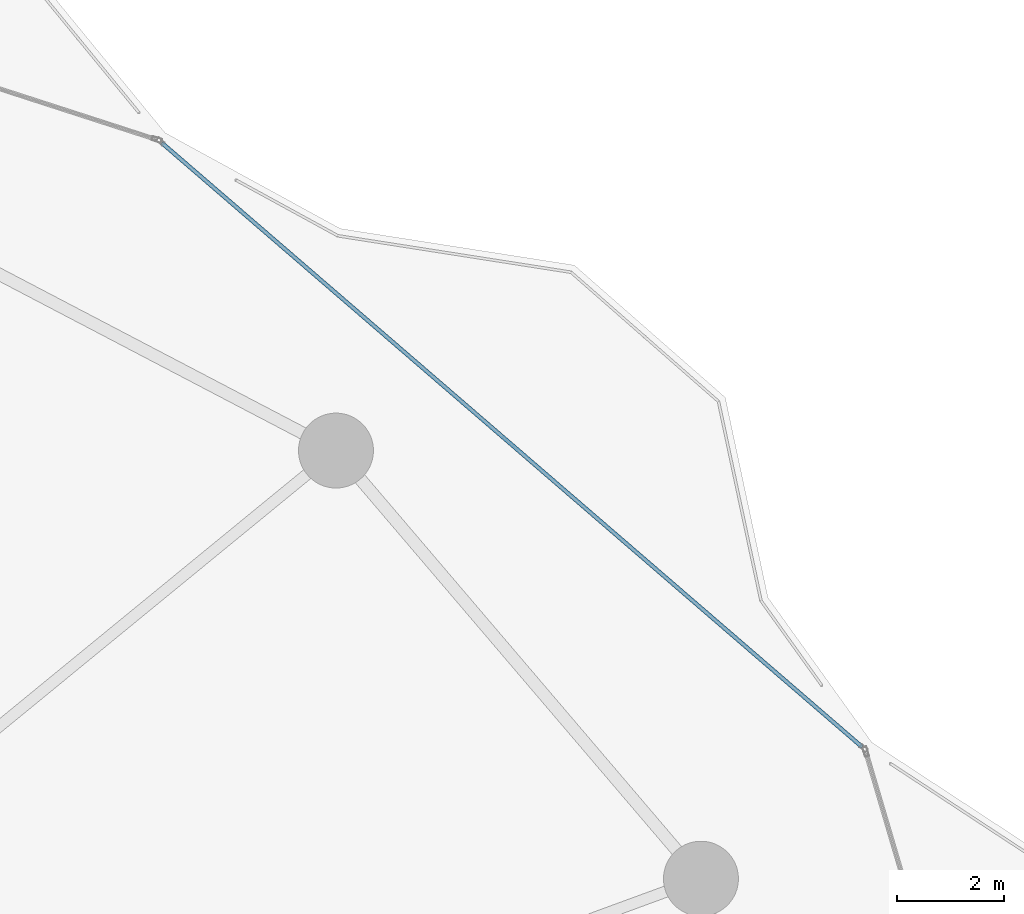
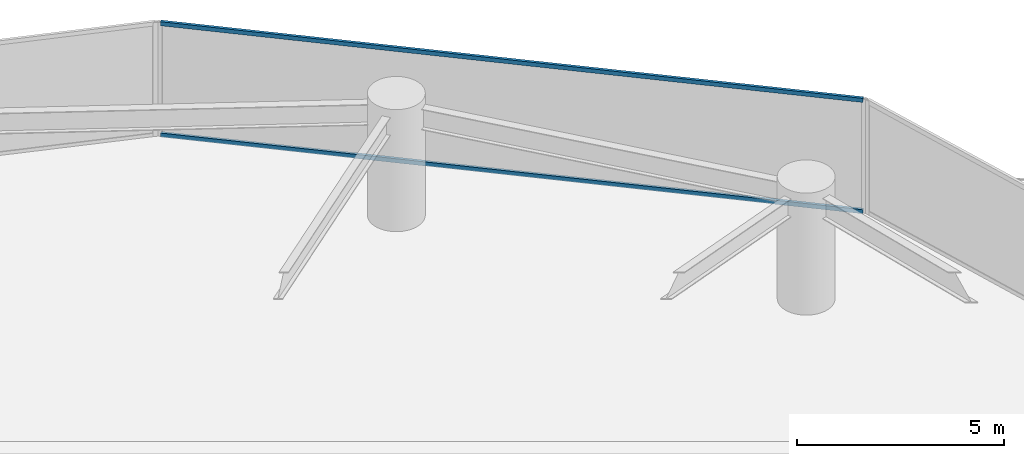
# One storey, part 20 of 33: 2 members, 1 element without a shape of its own.
"""IFC4 building model written with IfcOpenShell, lengths in metres."""

from ifc_helpers import new_model, si_unit, direction, frame, origin, origin_2d, place, context, subcontext, project, spatial, hollow_rectangle, extrude, material, layer, layer_set, material_profile, profile_set, type_object, element, aggregate, save


model = new_model("IFC4")

# Units and contexts
model_context = context("Model", 3, precision=1e-05, world=origin(), true_north=direction((0.0, 1.0)))
body_context = subcontext(model_context, "Body", "Model", "MODEL_VIEW")
ifc_project = project(units=[si_unit("LENGTHUNIT", "METRE"), si_unit("AREAUNIT", "SQUARE_METRE"), si_unit("VOLUMEUNIT", "CUBIC_METRE"), si_unit("PLANEANGLEUNIT", "RADIAN"), si_unit("MASSUNIT", "GRAM", prefix="KILO")], contexts=[model_context])

# Site, building, storey
site_placement = place(None, origin())
site = spatial("IfcSite", under=ifc_project, at=site_placement, CompositionType="ELEMENT")
building_placement = place(site_placement, origin())
building = spatial("IfcBuilding", under=site, at=building_placement, Name="Kazevale Care Tower and Concert Hall", CompositionType="ELEMENT")
storey_placement = place(building_placement, frame((0.0, 0.0, 49.199951171875)))
storey = spatial("IfcBuildingStorey", under=building, at=storey_placement, Name="L12", CompositionType="ELEMENT", Elevation=49.199951171875)

# Curtain wall, members
ifc_material_1 = material(Name="Aluminium 6063-T6 and Low-E Glass", Category="aluminium")
ifc_layer = layer(ifc_material_1, 0.179931640625)
ifc_layer_set = layer_set([ifc_layer], Name="Aluminium 6063-T6 and Low-E Glass")
curtain_wall_type = type_object("IfcCurtainWallType", Name="Convex Recessed Sunroom Curtain Wall CW-3", PredefinedType="NOTDEFINED", material=ifc_layer_set)
curtain_wall_placement = place(storey_placement, origin())
curtain_wall = element("IfcCurtainWall", 1, at=curtain_wall_placement, inside=storey, type_object=curtain_wall_type, Name="cw:L12:f17", PredefinedType="NOTDEFINED")
ifc_material_2 = material(Name="Aluminium 6063-T6", Category="aluminium")
ifc_material_profile = material_profile(ifc_material_2, hollow_rectangle(XDim=0.074951171875, YDim=0.1201171875, WallThickness=0.00390625, at=origin_2d()), Name="ALU75x120x4")
ifc_profile_set = profile_set([ifc_material_profile], Name="Aluminium 6063-T6")
member_type = type_object("IfcMemberType", Name="CW-3 Transom ALU75x120x4", PredefinedType="USERDEFINED", material=ifc_profile_set)
member_1_placement = place(storey_placement, frame((63.98681640625, 61.178955078125, 0.03759765625), z_axis=(0.757205368894, -0.653176874451, 0.0), x_axis=(0.653176874451, 0.757205368894, 0.0)))
member_1 = element("IfcMember", 2, at=member_1_placement, type_object=member_type, Name="CW-3 transom 1.1", ObjectType="TRANSOM", PredefinedType="USERDEFINED", context=body_context, shape_type="SweptSolid", body=[
    extrude(hollow_rectangle(XDim=0.074951171875, YDim=0.1201171875, WallThickness=0.00390625, at=origin_2d()), origin(), (0.0, 0.0, 1.0), 17.280029296875),
])
member_2_placement = place(storey_placement, frame((63.98681640625, 61.178955078125, 3.322509765625), z_axis=(0.757205368894, -0.653176874451, 0.0), x_axis=(0.653176874451, 0.757205368894, 0.0)))
member_2 = element("IfcMember", 3, at=member_2_placement, type_object=member_type, Name="CW-3 transom 1.2", ObjectType="TRANSOM", PredefinedType="USERDEFINED", context=body_context, shape_type="SweptSolid", body=[
    extrude(hollow_rectangle(XDim=0.074951171875, YDim=0.1201171875, WallThickness=0.00390625, at=origin_2d()), origin(), (0.0, 0.0, 1.0), 17.280029296875),
])
aggregate(curtain_wall, [member_1, member_2])

save(model, "model.ifc")
